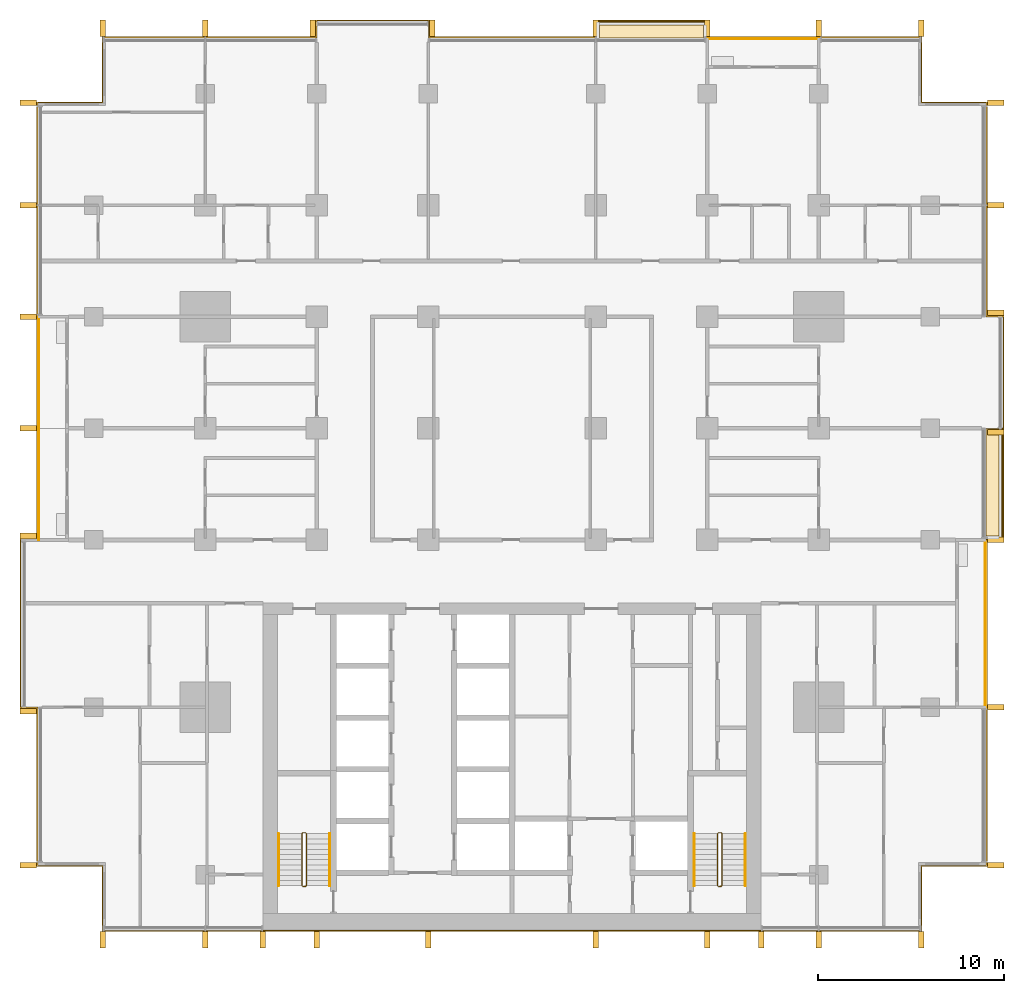
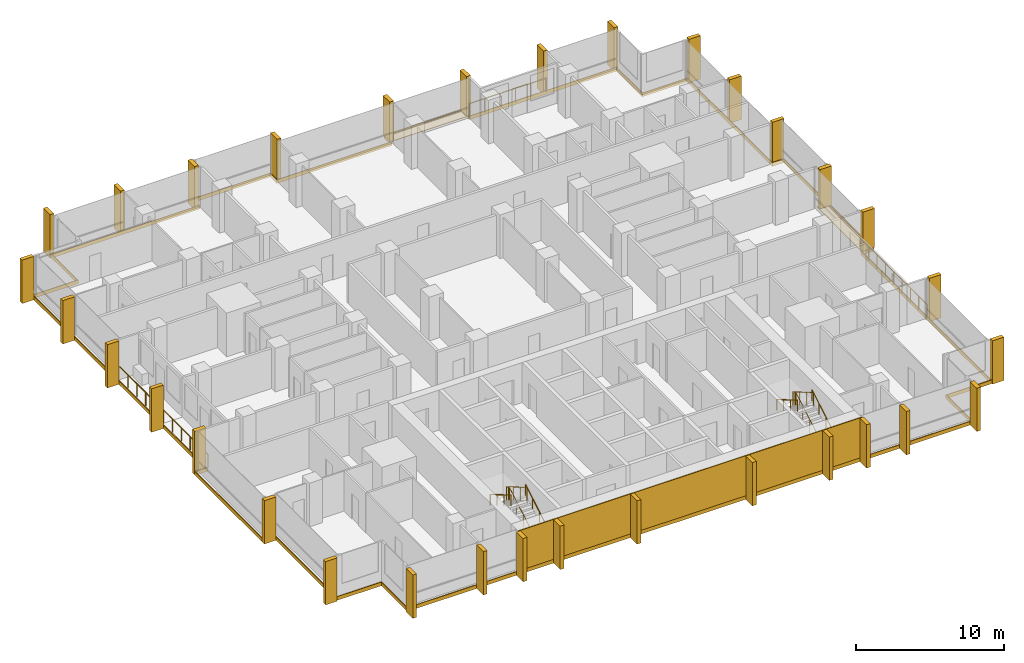
# One storey, part 17 of 17: 32 shading devices, 10 coverings, 10 railings.
"""IFC4 building model written with IfcOpenShell, lengths in metres."""

from ifc_helpers import new_model, si_unit, direction, frame, origin, origin_2d, place, context, subcontext, project, spatial, polyline, rectangle, circle, outline, extrude, material, layer, layer_set, type_object, element, save


model = new_model("IFC4")

# Units and contexts
model_context = context("Model", 3, precision=1e-05, world=origin(), true_north=direction((0.0, 1.0)))
body_context = subcontext(model_context, "Body", "Model", "MODEL_VIEW")
ifc_project = project(units=[si_unit("LENGTHUNIT", "METRE"), si_unit("AREAUNIT", "SQUARE_METRE"), si_unit("VOLUMEUNIT", "CUBIC_METRE"), si_unit("PLANEANGLEUNIT", "RADIAN"), si_unit("MASSUNIT", "GRAM", prefix="KILO")], contexts=[model_context])

# Site, building, storey
site_placement = place(None, origin())
site = spatial("IfcSite", under=ifc_project, at=site_placement, CompositionType="ELEMENT")
building_placement = place(site_placement, origin())
building = spatial("IfcBuilding", under=site, at=building_placement, Name="Finial Court Residences", CompositionType="ELEMENT")
storey_placement = place(building_placement, frame((0.0, 0.0, 117.10009765625)))
storey = spatial("IfcBuildingStorey", under=building, at=storey_placement, Name="L29", CompositionType="ELEMENT", Elevation=117.10009765625)

# Railings
ifc_material_1 = material(Name="Bronze anodised aluminium", Category="aluminium")
railing_type_1 = type_object("IfcRailingType", Name="Balcony guard 1100", PredefinedType="GUARDRAIL", material=ifc_material_1)
railing_1_placement = place(storey_placement, frame((10.5, 22.449951171875, 0.0)))
element("IfcRailing", 1, at=railing_1_placement, inside=storey, type_object=railing_type_1, Name="E-L29-BALN6-R", PredefinedType="GUARDRAIL", context=body_context, shape_type="SweptSolid", body=[
    extrude(circle(Radius=0.02392578125, at=origin_2d()), frame((0.0, 0.0, 1.076171875), z_axis=(1.0, 0.0, 0.0), x_axis=(0.0, 1.0, 0.0)), (0.0, 0.0, 1.0), 6.0),
    extrude(circle(Radius=0.02099609375, at=origin_2d()), origin(), (0.0, 0.0, 1.0), 1.052001953125),
    extrude(circle(Radius=0.02099609375, at=origin_2d()), frame((1.199951171875, 0.0, 0.0)), (0.0, 0.0, 1.0), 1.052001953125),
    extrude(circle(Radius=0.02099609375, at=origin_2d()), frame((2.39990234375, 0.0, 0.0)), (0.0, 0.0, 1.0), 1.052001953125),
    extrude(circle(Radius=0.02099609375, at=origin_2d()), frame((3.60009765625, 0.0, 0.0)), (0.0, 0.0, 1.0), 1.052001953125),
    extrude(circle(Radius=0.02099609375, at=origin_2d()), frame((4.800048828125, 0.0, 0.0)), (0.0, 0.0, 1.0), 1.052001953125),
    extrude(circle(Radius=0.02099609375, at=origin_2d()), frame((6.0, 0.0, 0.0)), (0.0, 0.0, 1.0), 1.052001953125),
])
railing_2_placement = place(storey_placement, frame((25.449951171875, -13.5, 0.0)))
element("IfcRailing", 2, at=railing_2_placement, inside=storey, type_object=railing_type_1, Name="E-L29-BALE2-R", PredefinedType="GUARDRAIL", context=body_context, shape_type="SweptSolid", body=[
    extrude(circle(Radius=0.02392578125, at=origin_2d()), frame((0.0, 0.0, 1.076171875), z_axis=(0.0, 1.0, 0.0), x_axis=(-1.0, 0.0, 0.0)), (0.0, 0.0, 1.0), 9.0),
    extrude(circle(Radius=0.02099609375, at=origin_2d()), origin(), (0.0, 0.0, 1.0), 1.052001953125),
    extrude(circle(Radius=0.02099609375, at=origin_2d()), frame((0.0, 1.125, 0.0)), (0.0, 0.0, 1.0), 1.052001953125),
    extrude(circle(Radius=0.02099609375, at=origin_2d()), frame((0.0, 2.25, 0.0)), (0.0, 0.0, 1.0), 1.052001953125),
    extrude(circle(Radius=0.02099609375, at=origin_2d()), frame((0.0, 3.375, 0.0)), (0.0, 0.0, 1.0), 1.052001953125),
    extrude(circle(Radius=0.02099609375, at=origin_2d()), frame((0.0, 4.5, 0.0)), (0.0, 0.0, 1.0), 1.052001953125),
    extrude(circle(Radius=0.02099609375, at=origin_2d()), frame((0.0, 5.625, 0.0)), (0.0, 0.0, 1.0), 1.052001953125),
    extrude(circle(Radius=0.02099609375, at=origin_2d()), frame((0.0, 6.75, 0.0)), (0.0, 0.0, 1.0), 1.052001953125),
    extrude(circle(Radius=0.02099609375, at=origin_2d()), frame((0.0, 7.875, 0.0)), (0.0, 0.0, 1.0), 1.052001953125),
    extrude(circle(Radius=0.02099609375, at=origin_2d()), frame((0.0, 9.0, 0.0)), (0.0, 0.0, 1.0), 1.052001953125),
])
for number, where, name in (
    (3, (-25.449951171875, -4.5, 0.0), "E-L29-BALW3-R"),
    (4, (-25.449951171875, 1.5, 0.0), "E-L29-BALW4-R"),
):
    element("IfcRailing", number, at=place(storey_placement, frame(where)), inside=storey, type_object=railing_type_1, Name=name, PredefinedType="GUARDRAIL", context=body_context, shape_type="SweptSolid", body=[
        extrude(circle(Radius=0.02392578125, at=origin_2d()), frame((0.0, 0.0, 1.076171875), z_axis=(0.0, 1.0, 0.0), x_axis=(-1.0, 0.0, 0.0)), (0.0, 0.0, 1.0), 6.0),
        extrude(circle(Radius=0.02099609375, at=origin_2d()), origin(), (0.0, 0.0, 1.0), 1.052001953125),
        extrude(circle(Radius=0.02099609375, at=origin_2d()), frame((0.0, 1.199951171875, 0.0)), (0.0, 0.0, 1.0), 1.052001953125),
        extrude(circle(Radius=0.02099609375, at=origin_2d()), frame((0.0, 2.39990234375, 0.0)), (0.0, 0.0, 1.0), 1.052001953125),
        extrude(circle(Radius=0.02099609375, at=origin_2d()), frame((0.0, 3.60009765625, 0.0)), (0.0, 0.0, 1.0), 1.052001953125),
        extrude(circle(Radius=0.02099609375, at=origin_2d()), frame((0.0, 4.800048828125, 0.0)), (0.0, 0.0, 1.0), 1.052001953125),
        extrude(circle(Radius=0.02099609375, at=origin_2d()), frame((0.0, 6.0, 0.0)), (0.0, 0.0, 1.0), 1.052001953125),
    ])

# Coverings
ifc_material_2 = material(Name="Natural limestone", Category="masonry")
ifc_layer_1 = layer(ifc_material_2, 0.06005859375)
ifc_layer_set_1 = layer_set([ifc_layer_1], Name="Limestone cladding to the blind core face 60")
covering_type_1 = type_object("IfcCoveringType", Name="Limestone cladding to the blind core face 60", PredefinedType="CLADDING", material=ifc_layer_set_1)
covering_1_placement = place(storey_placement, origin())
element("IfcCovering", 5, at=covering_1_placement, inside=storey, type_object=covering_type_1, Name="E-L29-CLAD1", PredefinedType="CLADDING", context=body_context, shape_type="SweptSolid", body=[
    extrude(outline(polyline([(-10.5, -25.56005859375), (-10.5, -25.5), (-13.39990234375, -25.5), (-13.39990234375, -25.56005859375), (-10.5, -25.56005859375)])), origin(), (0.0, 0.0, 1.0), 3.2998046875),
])
covering_2_placement = place(storey_placement, origin())
element("IfcCovering", 6, at=covering_2_placement, inside=storey, type_object=covering_type_1, Name="E-L29-CLAD2", PredefinedType="CLADDING", context=body_context, shape_type="SweptSolid", body=[
    extrude(outline(polyline([(-4.5, -25.56005859375), (-4.5, -25.5), (-10.5, -25.5), (-10.5, -25.56005859375), (-4.5, -25.56005859375)])), origin(), (0.0, 0.0, 1.0), 3.2998046875),
])
covering_3_placement = place(storey_placement, origin())
element("IfcCovering", 7, at=covering_3_placement, inside=storey, type_object=covering_type_1, Name="E-L29-CLAD3", PredefinedType="CLADDING", context=body_context, shape_type="SweptSolid", body=[
    extrude(outline(polyline([(4.5, -25.56005859375), (4.5, -25.5), (-4.5, -25.5), (-4.5, -25.56005859375), (4.5, -25.56005859375)])), origin(), (0.0, 0.0, 1.0), 3.2998046875),
])
covering_4_placement = place(storey_placement, origin())
element("IfcCovering", 8, at=covering_4_placement, inside=storey, type_object=covering_type_1, Name="E-L29-CLAD4", PredefinedType="CLADDING", context=body_context, shape_type="SweptSolid", body=[
    extrude(outline(polyline([(10.5, -25.56005859375), (10.5, -25.5), (4.5, -25.5), (4.5, -25.56005859375), (10.5, -25.56005859375)])), origin(), (0.0, 0.0, 1.0), 3.2998046875),
])
covering_5_placement = place(storey_placement, origin())
element("IfcCovering", 9, at=covering_5_placement, inside=storey, type_object=covering_type_1, Name="E-L29-CLAD5", PredefinedType="CLADDING", context=body_context, shape_type="SweptSolid", body=[
    extrude(outline(polyline([(13.39990234375, -25.56005859375), (13.39990234375, -25.5), (10.5, -25.5), (10.5, -25.56005859375), (13.39990234375, -25.56005859375)])), origin(), (0.0, 0.0, 1.0), 3.2998046875),
])

# Shading devices
shading_device_type = type_object("IfcShadingDeviceType", Name="Limestone fin 300 x 900", PredefinedType="USERDEFINED", material=ifc_material_2)
for number, where, z_axis, x_axis, name in (
    (10, (-22.0, 23.010009765625, -0.300048828125), (0.0, 0.0, 1.0), (1.0, 0.0, 0.0), "E-L29-FIN-N1"),
    (11, (-16.5, 23.010009765625, -0.300048828125), (0.0, 0.0, 1.0), (1.0, 0.0, 0.0), "E-L29-FIN-N2"),
    (12, (-10.7099609375, 23.010009765625, -0.300048828125), (0.0, 0.0, 1.0), (1.0, 0.0, 0.0), "E-L29-FIN-N3"),
    (13, (-4.2900390625, 23.010009765625, -0.300048828125), (0.0, 0.0, 1.0), (1.0, 0.0, 0.0), "E-L29-FIN-N4"),
):
    element("IfcShadingDevice", number, at=place(storey_placement, frame(where, z_axis=z_axis, x_axis=x_axis)), inside=storey, type_object=shading_device_type, Name=name, ObjectType="FIN", PredefinedType="USERDEFINED", context=body_context, shape_type="SweptSolid", body=[
        extrude(rectangle(XDim=0.300048828125, YDim=0.89990234375, at=origin_2d()), origin(), (0.0, 0.0, 1.0), 3.580078125),
    ])
for number, where, z_axis, x_axis, name in (
    (14, (4.5, 23.010009765625, 0.0400390625), (0.0, 0.0, 1.0), (1.0, 0.0, 0.0), "E-L29-FIN-N5"),
    (15, (10.5, 23.010009765625, 0.0400390625), (0.0, 0.0, 1.0), (1.0, 0.0, 0.0), "E-L29-FIN-N6"),
):
    element("IfcShadingDevice", number, at=place(storey_placement, frame(where, z_axis=z_axis, x_axis=x_axis)), inside=storey, type_object=shading_device_type, Name=name, ObjectType="FIN", PredefinedType="USERDEFINED", context=body_context, shape_type="SweptSolid", body=[
        extrude(rectangle(XDim=0.300048828125, YDim=0.89990234375, at=origin_2d()), origin(), (0.0, 0.0, 1.0), 3.239990234375),
    ])
for number, where, z_axis, x_axis, name in (
    (16, (16.5, 23.010009765625, -0.300048828125), (0.0, 0.0, 1.0), (1.0, 0.0, 0.0), "E-L29-FIN-N7"),
    (17, (22.0, 23.010009765625, -0.300048828125), (0.0, 0.0, 1.0), (1.0, 0.0, 0.0), "E-L29-FIN-N8"),
):
    element("IfcShadingDevice", number, at=place(storey_placement, frame(where, z_axis=z_axis, x_axis=x_axis)), inside=storey, type_object=shading_device_type, Name=name, ObjectType="FIN", PredefinedType="USERDEFINED", context=body_context, shape_type="SweptSolid", body=[
        extrude(rectangle(XDim=0.300048828125, YDim=0.89990234375, at=origin_2d()), origin(), (0.0, 0.0, 1.0), 3.580078125),
    ])
for number, where, z_axis, x_axis, name in (
    (18, (26.010009765625, -22.0, -0.300048828125), (0.0, 0.0, 1.0), (1.0, 0.0, 0.0), "E-L29-FIN-E9"),
    (19, (26.010009765625, -13.5, -0.300048828125), (0.0, 0.0, 1.0), (1.0, 0.0, 0.0), "E-L29-FIN-E10"),
):
    element("IfcShadingDevice", number, at=place(storey_placement, frame(where, z_axis=z_axis, x_axis=x_axis)), inside=storey, type_object=shading_device_type, Name=name, ObjectType="FIN", PredefinedType="USERDEFINED", context=body_context, shape_type="SweptSolid", body=[
        extrude(rectangle(XDim=0.89990234375, YDim=0.300048828125, at=origin_2d()), origin(), (0.0, 0.0, 1.0), 3.580078125),
    ])
for number, where, z_axis, x_axis, name in (
    (20, (26.010009765625, -4.5, 0.0400390625), (0.0, 0.0, 1.0), (1.0, 0.0, 0.0), "E-L29-FIN-E11"),
    (21, (26.010009765625, 1.2900390625, 0.0400390625), (0.0, 0.0, 1.0), (1.0, 0.0, 0.0), "E-L29-FIN-E12"),
):
    element("IfcShadingDevice", number, at=place(storey_placement, frame(where, z_axis=z_axis, x_axis=x_axis)), inside=storey, type_object=shading_device_type, Name=name, ObjectType="FIN", PredefinedType="USERDEFINED", context=body_context, shape_type="SweptSolid", body=[
        extrude(rectangle(XDim=0.89990234375, YDim=0.300048828125, at=origin_2d()), origin(), (0.0, 0.0, 1.0), 3.239990234375),
    ])
for number, where, z_axis, x_axis, name in (
    (22, (26.010009765625, 7.7099609375, -0.300048828125), (0.0, 0.0, 1.0), (1.0, 0.0, 0.0), "E-L29-FIN-E13"),
    (23, (26.010009765625, 13.5, -0.300048828125), (0.0, 0.0, 1.0), (1.0, 0.0, 0.0), "E-L29-FIN-E14"),
    (24, (26.010009765625, 19.0, -0.300048828125), (0.0, 0.0, 1.0), (1.0, 0.0, 0.0), "E-L29-FIN-E15"),
):
    element("IfcShadingDevice", number, at=place(storey_placement, frame(where, z_axis=z_axis, x_axis=x_axis)), inside=storey, type_object=shading_device_type, Name=name, ObjectType="FIN", PredefinedType="USERDEFINED", context=body_context, shape_type="SweptSolid", body=[
        extrude(rectangle(XDim=0.89990234375, YDim=0.300048828125, at=origin_2d()), origin(), (0.0, 0.0, 1.0), 3.580078125),
    ])
for number, where, z_axis, x_axis, name in (
    (25, (-22.0, -26.010009765625, -0.300048828125), (0.0, 0.0, 1.0), (1.0, 0.0, 0.0), "E-L29-FIN-S16"),
    (26, (-16.5, -26.010009765625, -0.300048828125), (0.0, 0.0, 1.0), (1.0, 0.0, 0.0), "E-L29-FIN-S17"),
    (27, (-13.39990234375, -26.010009765625, -0.300048828125), (0.0, 0.0, 1.0), (1.0, 0.0, 0.0), "E-L29-FIN-S18"),
    (28, (-10.5, -26.010009765625, -0.300048828125), (0.0, 0.0, 1.0), (1.0, 0.0, 0.0), "E-L29-FIN-S19"),
    (29, (-4.5, -26.010009765625, -0.300048828125), (0.0, 0.0, 1.0), (1.0, 0.0, 0.0), "E-L29-FIN-S20"),
    (30, (4.5, -26.010009765625, -0.300048828125), (0.0, 0.0, 1.0), (1.0, 0.0, 0.0), "E-L29-FIN-S21"),
    (31, (10.5, -26.010009765625, -0.300048828125), (0.0, 0.0, 1.0), (1.0, 0.0, 0.0), "E-L29-FIN-S22"),
    (32, (13.39990234375, -26.010009765625, -0.300048828125), (0.0, 0.0, 1.0), (1.0, 0.0, 0.0), "E-L29-FIN-S23"),
    (33, (16.5, -26.010009765625, -0.300048828125), (0.0, 0.0, 1.0), (1.0, 0.0, 0.0), "E-L29-FIN-S24"),
    (34, (22.0, -26.010009765625, -0.300048828125), (0.0, 0.0, 1.0), (1.0, 0.0, 0.0), "E-L29-FIN-S25"),
):
    element("IfcShadingDevice", number, at=place(storey_placement, frame(where, z_axis=z_axis, x_axis=x_axis)), inside=storey, type_object=shading_device_type, Name=name, ObjectType="FIN", PredefinedType="USERDEFINED", context=body_context, shape_type="SweptSolid", body=[
        extrude(rectangle(XDim=0.300048828125, YDim=0.89990234375, at=origin_2d()), origin(), (0.0, 0.0, 1.0), 3.580078125),
    ])
for number, where, z_axis, x_axis, name in (
    (35, (-26.010009765625, -22.0, -0.300048828125), (0.0, 0.0, 1.0), (1.0, 0.0, 0.0), "E-L29-FIN-W26"),
    (36, (-26.010009765625, -13.7099609375, -0.300048828125), (0.0, 0.0, 1.0), (1.0, 0.0, 0.0), "E-L29-FIN-W27"),
    (37, (-26.010009765625, -4.2900390625, -0.300048828125), (0.0, 0.0, 1.0), (1.0, 0.0, 0.0), "E-L29-FIN-W28"),
    (38, (-26.010009765625, 1.5, -0.300048828125), (0.0, 0.0, 1.0), (1.0, 0.0, 0.0), "E-L29-FIN-W29"),
    (39, (-26.010009765625, 7.5, -0.300048828125), (0.0, 0.0, 1.0), (1.0, 0.0, 0.0), "E-L29-FIN-W30"),
    (40, (-26.010009765625, 13.5, -0.300048828125), (0.0, 0.0, 1.0), (1.0, 0.0, 0.0), "E-L29-FIN-W31"),
    (41, (-26.010009765625, 19.0, -0.300048828125), (0.0, 0.0, 1.0), (1.0, 0.0, 0.0), "E-L29-FIN-W32"),
):
    element("IfcShadingDevice", number, at=place(storey_placement, frame(where, z_axis=z_axis, x_axis=x_axis)), inside=storey, type_object=shading_device_type, Name=name, ObjectType="FIN", PredefinedType="USERDEFINED", context=body_context, shape_type="SweptSolid", body=[
        extrude(rectangle(XDim=0.89990234375, YDim=0.300048828125, at=origin_2d()), origin(), (0.0, 0.0, 1.0), 3.580078125),
    ])

# Coverings
ifc_material_3 = material(Name="Pale limestone", Category="masonry")
ifc_layer_2 = layer(ifc_material_3, 0.06005859375)
ifc_layer_set_2 = layer_set([ifc_layer_2], Name="Pale limestone slab-edge band 60")
covering_type_2 = type_object("IfcCoveringType", Name="Pale limestone slab-edge band 60", PredefinedType="CLADDING", material=ifc_layer_set_2)
covering_6_placement = place(storey_placement, frame((0.0, 0.0, -0.300048828125)))
element("IfcCovering", 42, at=covering_6_placement, inside=storey, type_object=covering_type_2, Name="E-L29-BAND1", PredefinedType="CLADDING", context=body_context, shape_type="SweptSolid", body=[
    extrude(outline(polyline([(22.06005859375, -22.06005859375), (22.06005859375, -25.56005859375), (-22.06005859375, -25.56005859375), (-22.06005859375, -22.06005859375), (-25.56005859375, -22.06005859375), (-25.56005859375, -13.56005859375), (-26.4599609375, -13.56005859375), (-26.4599609375, -4.43994140625), (-25.56005859375, -4.43994140625), (-25.56005859375, 19.06005859375), (-22.06005859375, 19.06005859375), (-22.06005859375, 22.56005859375), (-10.56005859375, 22.56005859375), (-10.56005859375, 23.4599609375), (-4.43994140625, 23.4599609375), (-4.43994140625, 22.56005859375), (4.43994140625, 22.56005859375), (4.43994140625, 23.4599609375), (10.56005859375, 23.4599609375), (10.56005859375, 22.56005859375), (22.06005859375, 22.56005859375), (22.06005859375, 19.06005859375), (25.56005859375, 19.06005859375), (25.56005859375, 7.56005859375), (26.4599609375, 7.56005859375), (26.4599609375, -4.56005859375), (25.56005859375, -4.56005859375), (25.56005859375, -22.06005859375), (22.06005859375, -22.06005859375)]), holes=[polyline([(25.5, -4.5), (26.39990234375, -4.5), (26.39990234375, 1.5), (26.39990234375, 7.5), (25.5, 7.5), (25.5, 19.0), (22.0, 19.0), (22.0, 22.5), (16.5, 22.5), (10.5, 22.5), (10.5, 23.39990234375), (4.5, 23.39990234375), (4.5, 22.5), (-4.5, 22.5), (-4.5, 23.39990234375), (-10.5, 23.39990234375), (-10.5, 22.5), (-22.0, 22.5), (-22.0, 19.0), (-25.5, 19.0), (-25.5, 7.5), (-25.5, 1.5), (-25.5, -4.5), (-26.39990234375, -4.5), (-26.39990234375, -13.5), (-25.5, -13.5), (-25.5, -22.0), (-22.0, -22.0), (-22.0, -25.5), (22.0, -25.5), (22.0, -22.0), (25.5, -22.0), (25.5, -13.5), (25.5, -4.5)])]), origin(), (0.0, 0.0, 1.0), 0.300048828125),
])
ifc_material_4 = material(Name="Bitumen membrane")
ifc_layer_3 = layer(ifc_material_4, 0.0400390625)
ifc_layer_set_3 = layer_set([ifc_layer_3], Name="Push box roofing, bitumen membrane 40")
covering_type_3 = type_object("IfcCoveringType", Name="Push box roofing, bitumen membrane 40", PredefinedType="ROOFING", material=ifc_layer_set_3)
covering_7_placement = place(storey_placement, origin())
element("IfcCovering", 43, at=covering_7_placement, inside=storey, type_object=covering_type_3, Name="E-L29-LED1", PredefinedType="ROOFING", context=body_context, shape_type="SweptSolid", body=[
    extrude(outline(polyline([(10.449951171875, 22.5), (10.449951171875, 23.199951171875), (10.449951171875, 23.35009765625), (4.699951171875, 23.35009765625), (4.699951171875, 23.35009765625), (4.550048828125, 23.35009765625), (4.550048828125, 22.5), (4.5, 22.5), (4.5, 23.39990234375), (10.5, 23.39990234375), (10.5, 22.5), (10.449951171875, 22.5)])), origin(), (0.0, 0.0, 1.0), 0.039794921875),
])
covering_8_placement = place(storey_placement, origin())
element("IfcCovering", 44, at=covering_8_placement, inside=storey, type_object=covering_type_3, Name="E-L29-LED1b", PredefinedType="ROOFING", context=body_context, shape_type="SweptSolid", body=[
    extrude(outline(polyline([(4.699951171875, 22.5), (4.699951171875, 23.199951171875), (10.300048828125, 23.199951171875), (10.300048828125, 22.5), (4.699951171875, 22.5)])), origin(), (0.0, 0.0, 1.0), 0.039794921875),
])
covering_9_placement = place(storey_placement, origin())
element("IfcCovering", 45, at=covering_9_placement, inside=storey, type_object=covering_type_3, Name="E-L29-LED2", PredefinedType="ROOFING", context=body_context, shape_type="SweptSolid", body=[
    extrude(outline(polyline([(25.5, -4.449951171875), (26.199951171875, -4.449951171875), (26.35009765625, -4.449951171875), (26.35009765625, 1.5), (26.39990234375, 1.5), (26.39990234375, -4.5), (25.5, -4.5), (25.5, -4.449951171875)])), origin(), (0.0, 0.0, 1.0), 0.039794921875),
])
covering_10_placement = place(storey_placement, origin())
element("IfcCovering", 46, at=covering_10_placement, inside=storey, type_object=covering_type_3, Name="E-L29-LED2b", PredefinedType="ROOFING", context=body_context, shape_type="SweptSolid", body=[
    extrude(outline(polyline([(25.5, 1.5), (26.199951171875, 1.5), (26.199951171875, -4.300048828125), (25.5, -4.300048828125), (25.5, 1.5)])), origin(), (0.0, 0.0, 1.0), 0.039794921875),
])

# Railings
ifc_material_5 = material(Name="Stainless steel railing", Category="steel")
railing_type_2 = type_object("IfcRailingType", Name="Stair guard 1100", PredefinedType="GUARDRAIL", material=ifc_material_5)
railing_3_placement = place(storey_placement, frame((-11.10009765625, -23.14990234375, 0.0)))
element("IfcRailing", 47, at=railing_3_placement, inside=storey, type_object=railing_type_2, Name="L29 ST-1 stair guard 1", PredefinedType="GUARDRAIL", context=body_context, shape_type="SweptSolid", body=[
    extrude(circle(Radius=0.02392578125, at=origin_2d()), frame((0.0, 0.0, 1.076171875), z_axis=(-1.0, 0.0, 0.0), x_axis=(0.0, -1.0, 0.0)), (0.0, 0.0, 1.0), 0.14990234375),
    extrude(circle(Radius=0.02392578125, at=origin_2d()), frame((-0.14990234375, 0.0, 1.076171875), z_axis=(0.760004195007, 0.189305074214, 0.621737253547), x_axis=(-0.241699205484, 0.970351222016, 0.0)), (0.0, 0.0, 1.0), 0.26318359375),
    extrude(circle(Radius=0.02392578125, at=origin_2d()), frame((0.050048828125, 0.0498046875, 1.23974609375), z_axis=(0.0, 0.863393664356, 0.504530851732), x_axis=(-1.0, 0.0, 0.0)), (0.0, 0.0, 1.0), 3.2431640625),
    extrude(circle(Radius=0.02392578125, at=origin_2d()), frame((0.050048828125, 2.849853515625, 2.8759765625), z_axis=(-0.707106781187, 0.707106781187, 0.0), x_axis=(-0.707106781187, -0.707106781187, 0.0)), (0.0, 0.0, 1.0), 0.07080078125),
    extrude(circle(Radius=0.02392578125, at=origin_2d()), frame((0.0, 2.89990234375, 2.8759765625), z_axis=(-1.0, 0.0, 0.0), x_axis=(0.0, -1.0, 0.0)), (0.0, 0.0, 1.0), 0.14990234375),
    extrude(circle(Radius=0.02392578125, at=origin_2d()), frame((-0.14990234375, 2.89990234375, 2.8759765625), z_axis=(-0.280456126637, -0.280456126637, 0.917980785237), x_axis=(0.707106781187, -0.707106781187, 0.0)), (0.0, 0.0, 1.0), 0.178466796875),
    extrude(circle(Radius=0.02392578125, at=origin_2d()), frame((-0.199951171875, 2.849853515625, 3.03955078125), z_axis=(0.0, -0.863393664356, 0.504530851732), x_axis=(1.0, 0.0, 0.0)), (0.0, 0.0, 1.0), 3.2431640625),
    extrude(circle(Radius=0.02099609375, at=origin_2d()), origin(), (0.0, 0.0, 1.0), 1.052001953125),
    extrude(circle(Radius=0.02099609375, at=origin_2d()), frame((-0.14990234375, 0.0, 0.0)), (0.0, 0.0, 1.0), 1.052001953125),
    extrude(circle(Radius=0.02099609375, at=origin_2d()), frame((0.050048828125, 0.0498046875, 0.16357421875)), (0.0, 0.0, 1.0), 1.052001953125),
    extrude(circle(Radius=0.02099609375, at=origin_2d()), frame((0.050048828125, 0.983154296875, 0.708984375)), (0.0, 0.0, 1.0), 1.052001953125),
    extrude(circle(Radius=0.02099609375, at=origin_2d()), frame((0.050048828125, 1.91650390625, 1.25439453125)), (0.0, 0.0, 1.0), 1.052001953125),
    extrude(circle(Radius=0.02099609375, at=origin_2d()), frame((0.050048828125, 2.849853515625, 1.7998046875)), (0.0, 0.0, 1.0), 1.052001953125),
    extrude(circle(Radius=0.02099609375, at=origin_2d()), frame((0.0, 2.89990234375, 1.7998046875)), (0.0, 0.0, 1.0), 1.052001953125),
    extrude(circle(Radius=0.02099609375, at=origin_2d()), frame((-0.14990234375, 2.89990234375, 1.7998046875)), (0.0, 0.0, 1.0), 1.052001953125),
    extrude(circle(Radius=0.02099609375, at=origin_2d()), frame((-0.199951171875, 2.849853515625, 1.963623046875)), (0.0, 0.0, 1.0), 1.052001953125),
    extrude(circle(Radius=0.02099609375, at=origin_2d()), frame((-0.199951171875, 1.91650390625, 2.509033203125)), (0.0, 0.0, 1.0), 1.052001953125),
    extrude(circle(Radius=0.02099609375, at=origin_2d()), frame((-0.199951171875, 0.983154296875, 3.054443359375)), (0.0, 0.0, 1.0), 1.052001953125),
    extrude(circle(Radius=0.02099609375, at=origin_2d()), frame((-0.199951171875, 0.0498046875, 3.599853515625)), (0.0, 0.0, 1.0), 1.052001953125),
])
railing_4_placement = place(storey_placement, frame((11.25, -23.14990234375, 0.0)))
element("IfcRailing", 48, at=railing_4_placement, inside=storey, type_object=railing_type_2, Name="L29 ST-2 stair guard 1", PredefinedType="GUARDRAIL", context=body_context, shape_type="SweptSolid", body=[
    extrude(circle(Radius=0.02392578125, at=origin_2d()), frame((0.0, 0.0, 1.076171875), z_axis=(-1.0, 0.0, 0.0), x_axis=(0.0, -1.0, 0.0)), (0.0, 0.0, 1.0), 0.14990234375),
    extrude(circle(Radius=0.02392578125, at=origin_2d()), frame((-0.14990234375, 0.0, 1.076171875), z_axis=(0.760004195007, 0.189305074214, 0.621737253547), x_axis=(-0.241699205484, 0.970351222016, 0.0)), (0.0, 0.0, 1.0), 0.26318359375),
    extrude(circle(Radius=0.02392578125, at=origin_2d()), frame((0.050048828125, 0.0498046875, 1.23974609375), z_axis=(0.0, 0.863393664356, 0.504530851732), x_axis=(-1.0, 0.0, 0.0)), (0.0, 0.0, 1.0), 3.2431640625),
    extrude(circle(Radius=0.02392578125, at=origin_2d()), frame((0.050048828125, 2.849853515625, 2.8759765625), z_axis=(-0.707106781187, 0.707106781187, 0.0), x_axis=(-0.707106781187, -0.707106781187, 0.0)), (0.0, 0.0, 1.0), 0.07080078125),
    extrude(circle(Radius=0.02392578125, at=origin_2d()), frame((0.0, 2.89990234375, 2.8759765625), z_axis=(-1.0, 0.0, 0.0), x_axis=(0.0, -1.0, 0.0)), (0.0, 0.0, 1.0), 0.14990234375),
    extrude(circle(Radius=0.02392578125, at=origin_2d()), frame((-0.14990234375, 2.89990234375, 2.8759765625), z_axis=(-0.280456126637, -0.280456126637, 0.917980785237), x_axis=(0.707106781187, -0.707106781187, 0.0)), (0.0, 0.0, 1.0), 0.178466796875),
    extrude(circle(Radius=0.02392578125, at=origin_2d()), frame((-0.199951171875, 2.849853515625, 3.03955078125), z_axis=(0.0, -0.863393664356, 0.504530851732), x_axis=(1.0, 0.0, 0.0)), (0.0, 0.0, 1.0), 3.2431640625),
    extrude(circle(Radius=0.02099609375, at=origin_2d()), origin(), (0.0, 0.0, 1.0), 1.052001953125),
    extrude(circle(Radius=0.02099609375, at=origin_2d()), frame((-0.14990234375, 0.0, 0.0)), (0.0, 0.0, 1.0), 1.052001953125),
    extrude(circle(Radius=0.02099609375, at=origin_2d()), frame((0.050048828125, 0.0498046875, 0.16357421875)), (0.0, 0.0, 1.0), 1.052001953125),
    extrude(circle(Radius=0.02099609375, at=origin_2d()), frame((0.050048828125, 0.983154296875, 0.708984375)), (0.0, 0.0, 1.0), 1.052001953125),
    extrude(circle(Radius=0.02099609375, at=origin_2d()), frame((0.050048828125, 1.91650390625, 1.25439453125)), (0.0, 0.0, 1.0), 1.052001953125),
    extrude(circle(Radius=0.02099609375, at=origin_2d()), frame((0.050048828125, 2.849853515625, 1.7998046875)), (0.0, 0.0, 1.0), 1.052001953125),
    extrude(circle(Radius=0.02099609375, at=origin_2d()), frame((0.0, 2.89990234375, 1.7998046875)), (0.0, 0.0, 1.0), 1.052001953125),
    extrude(circle(Radius=0.02099609375, at=origin_2d()), frame((-0.14990234375, 2.89990234375, 1.7998046875)), (0.0, 0.0, 1.0), 1.052001953125),
    extrude(circle(Radius=0.02099609375, at=origin_2d()), frame((-0.199951171875, 2.849853515625, 1.963623046875)), (0.0, 0.0, 1.0), 1.052001953125),
    extrude(circle(Radius=0.02099609375, at=origin_2d()), frame((-0.199951171875, 1.91650390625, 2.509033203125)), (0.0, 0.0, 1.0), 1.052001953125),
    extrude(circle(Radius=0.02099609375, at=origin_2d()), frame((-0.199951171875, 0.983154296875, 3.054443359375)), (0.0, 0.0, 1.0), 1.052001953125),
    extrude(circle(Radius=0.02099609375, at=origin_2d()), frame((-0.199951171875, 0.0498046875, 3.599853515625)), (0.0, 0.0, 1.0), 1.052001953125),
])
railing_type_3 = type_object("IfcRailingType", Name="Stair handrail 900", PredefinedType="HANDRAIL", material=ifc_material_5)
railing_5_placement = place(storey_placement, frame((-9.800048828125, -23.10009765625, 0.16357421875)))
element("IfcRailing", 49, at=railing_5_placement, inside=storey, type_object=railing_type_3, Name="L29 ST-1 stair handrail 1", PredefinedType="HANDRAIL", context=body_context, shape_type="SweptSolid", body=[
    extrude(circle(Radius=0.02392578125, at=origin_2d()), frame((0.0, 0.0, 0.8759765625), z_axis=(0.0, 0.863393664356, 0.504530851732), x_axis=(-1.0, 0.0, 0.0)), (0.0, 0.0, 1.0), 3.2431640625),
    extrude(circle(Radius=0.02099609375, at=origin_2d()), origin(), (0.0, 0.0, 1.0), 0.851806640625),
    extrude(circle(Radius=0.02099609375, at=origin_2d()), frame((0.0, 0.933349609375, 0.54541015625)), (0.0, 0.0, 1.0), 0.851806640625),
    extrude(circle(Radius=0.02099609375, at=origin_2d()), frame((0.0, 1.86669921875, 1.0908203125)), (0.0, 0.0, 1.0), 0.851806640625),
    extrude(circle(Radius=0.02099609375, at=origin_2d()), frame((0.0, 2.800048828125, 1.63623046875)), (0.0, 0.0, 1.0), 0.851806640625),
])
railing_6_placement = place(storey_placement, frame((-12.550048828125, -20.300048828125, 1.963623046875)))
element("IfcRailing", 50, at=railing_6_placement, inside=storey, type_object=railing_type_3, Name="L29 ST-1 stair handrail 2", PredefinedType="HANDRAIL", context=body_context, shape_type="SweptSolid", body=[
    extrude(circle(Radius=0.02392578125, at=origin_2d()), frame((0.0, 0.0, 0.8759765625), z_axis=(0.0, -0.863393664356, 0.504530851732), x_axis=(1.0, 0.0, 0.0)), (0.0, 0.0, 1.0), 3.2431640625),
    extrude(circle(Radius=0.02099609375, at=origin_2d()), origin(), (0.0, 0.0, 1.0), 0.851806640625),
    extrude(circle(Radius=0.02099609375, at=origin_2d()), frame((0.0, -0.933349609375, 0.54541015625)), (0.0, 0.0, 1.0), 0.851806640625),
    extrude(circle(Radius=0.02099609375, at=origin_2d()), frame((0.0, -1.86669921875, 1.0908203125)), (0.0, 0.0, 1.0), 0.851806640625),
    extrude(circle(Radius=0.02099609375, at=origin_2d()), frame((0.0, -2.800048828125, 1.63623046875)), (0.0, 0.0, 1.0), 0.851806640625),
])
railing_7_placement = place(storey_placement, frame((12.550048828125, -23.10009765625, 0.16357421875)))
element("IfcRailing", 51, at=railing_7_placement, inside=storey, type_object=railing_type_3, Name="L29 ST-2 stair handrail 1", PredefinedType="HANDRAIL", context=body_context, shape_type="SweptSolid", body=[
    extrude(circle(Radius=0.02392578125, at=origin_2d()), frame((0.0, 0.0, 0.8759765625), z_axis=(0.0, 0.863393664356, 0.504530851732), x_axis=(-1.0, 0.0, 0.0)), (0.0, 0.0, 1.0), 3.2431640625),
    extrude(circle(Radius=0.02099609375, at=origin_2d()), origin(), (0.0, 0.0, 1.0), 0.851806640625),
    extrude(circle(Radius=0.02099609375, at=origin_2d()), frame((0.0, 0.933349609375, 0.54541015625)), (0.0, 0.0, 1.0), 0.851806640625),
    extrude(circle(Radius=0.02099609375, at=origin_2d()), frame((0.0, 1.86669921875, 1.0908203125)), (0.0, 0.0, 1.0), 0.851806640625),
    extrude(circle(Radius=0.02099609375, at=origin_2d()), frame((0.0, 2.800048828125, 1.63623046875)), (0.0, 0.0, 1.0), 0.851806640625),
])
railing_8_placement = place(storey_placement, frame((9.800048828125, -20.300048828125, 1.963623046875)))
element("IfcRailing", 52, at=railing_8_placement, inside=storey, type_object=railing_type_3, Name="L29 ST-2 stair handrail 2", PredefinedType="HANDRAIL", context=body_context, shape_type="SweptSolid", body=[
    extrude(circle(Radius=0.02392578125, at=origin_2d()), frame((0.0, 0.0, 0.8759765625), z_axis=(0.0, -0.863393664356, 0.504530851732), x_axis=(1.0, 0.0, 0.0)), (0.0, 0.0, 1.0), 3.2431640625),
    extrude(circle(Radius=0.02099609375, at=origin_2d()), origin(), (0.0, 0.0, 1.0), 0.851806640625),
    extrude(circle(Radius=0.02099609375, at=origin_2d()), frame((0.0, -0.933349609375, 0.54541015625)), (0.0, 0.0, 1.0), 0.851806640625),
    extrude(circle(Radius=0.02099609375, at=origin_2d()), frame((0.0, -1.86669921875, 1.0908203125)), (0.0, 0.0, 1.0), 0.851806640625),
    extrude(circle(Radius=0.02099609375, at=origin_2d()), frame((0.0, -2.800048828125, 1.63623046875)), (0.0, 0.0, 1.0), 0.851806640625),
])

save(model, "model.ifc")
